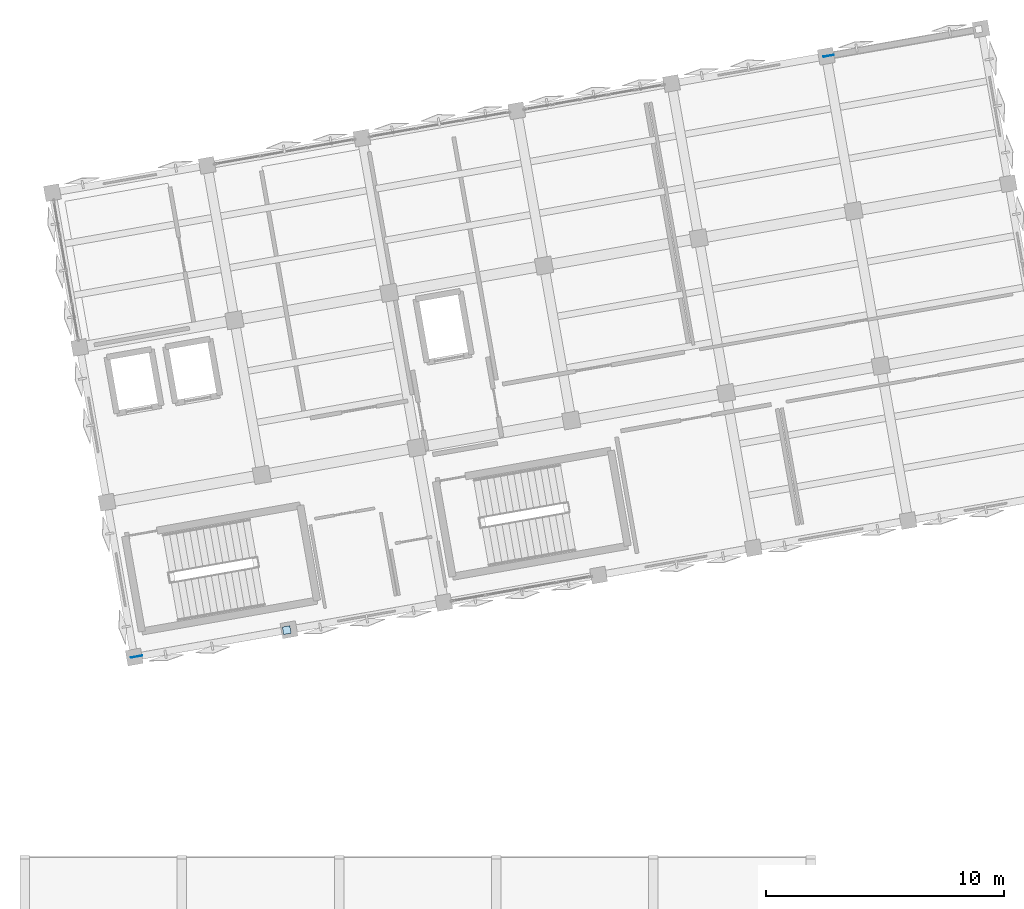
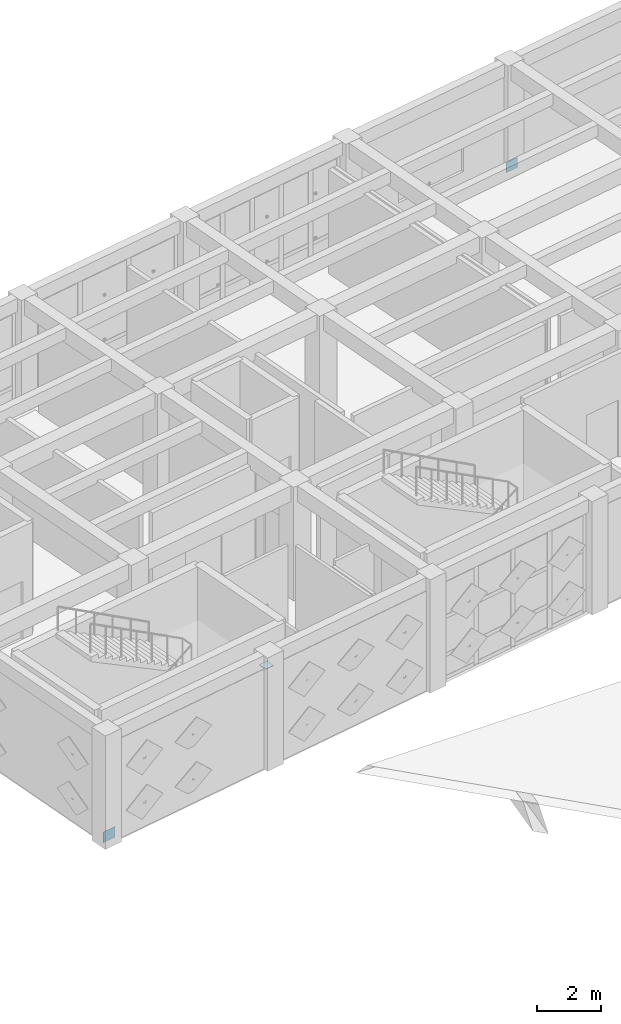
# One storey, part 25 of 39: 3 plates.
"""IFC4 building model written with IfcOpenShell, lengths in metres."""

from ifc_helpers import new_model, si_unit, direction, frame, origin, origin_2d, place, context, subcontext, project, spatial, rectangle, extrude, material, layer, layer_set, type_object, element, save


model = new_model("IFC4")

# Units and contexts
model_context = context("Model", 3, precision=1e-05, world=origin(), true_north=direction((0.0, 1.0)))
body_context = subcontext(model_context, "Body", "Model", "MODEL_VIEW")
ifc_project = project(units=[si_unit("LENGTHUNIT", "METRE"), si_unit("AREAUNIT", "SQUARE_METRE"), si_unit("VOLUMEUNIT", "CUBIC_METRE"), si_unit("PLANEANGLEUNIT", "RADIAN"), si_unit("MASSUNIT", "GRAM", prefix="KILO")], contexts=[model_context])

# Site, building, storey
site_placement = place(None, origin())
site = spatial("IfcSite", under=ifc_project, at=site_placement, CompositionType="ELEMENT")
building_placement = place(site_placement, origin())
building = spatial("IfcBuilding", under=site, at=building_placement, Name="Kharisveld Research Institute", CompositionType="ELEMENT")
storey_placement = place(building_placement, frame((0.0, 0.0, 23.10009765625)))
storey = spatial("IfcBuildingStorey", under=building, at=storey_placement, Name="L05", CompositionType="ELEMENT", Elevation=23.10009765625)

# Plates
ifc_material_1 = material(Name="Steel S355JR", Category="steel")
ifc_layer_1 = layer(ifc_material_1, 0.01806640625)
ifc_layer_set_1 = layer_set([ifc_layer_1], Name="PL_CAP_B")
plate_type_1 = type_object("IfcPlateType", Name="PL_CAP_B", PredefinedType="SHEET", material=ifc_layer_set_1)
plate_1_placement = place(storey_placement, frame((11.601318359375, 36.138671875, 3.7509765625), z_axis=(0.0, 0.0, 1.0), x_axis=(0.984807753012, 0.173648177667, 0.0)))
element("IfcPlate", 1, at=plate_1_placement, inside=storey, type_object=plate_type_1, Name="PLT:V1:L05:CAP_0_0", PredefinedType="SHEET", context=body_context, shape_type="SweptSolid", body=[
    extrude(rectangle(XDim=0.320068359375, YDim=0.320068359375, at=origin_2d()), origin(), (0.0, 0.0, 1.0), 0.01806640625),
])
ifc_material_2 = material(Name="Steel S355JR", Category="steel")
ifc_layer_2 = layer(ifc_material_2, 0.02001953125)
ifc_layer_set_2 = layer_set([ifc_layer_2], Name="PL_GUS_B")
plate_type_2 = type_object("IfcPlateType", Name="PL_GUS_B", PredefinedType="USERDEFINED", material=ifc_layer_set_2)
plate_2_placement = place(storey_placement, frame((5.298583984375, 35.02734375, 0.0), z_axis=(0.0, 0.0, 1.0), x_axis=(0.984807753012, 0.173648177667, 0.0)))
element("IfcPlate", 2, at=plate_2_placement, inside=storey, type_object=plate_type_2, Name="PLT:V1:L05:GUS_0_0", ObjectType="GUSSET PLATE", PredefinedType="USERDEFINED", context=body_context, shape_type="SweptSolid", body=[
    extrude(rectangle(XDim=0.47998046875, YDim=0.02001953125, at=origin_2d()), origin(), (0.0, 0.0, 1.0), 0.39990234375),
])
ifc_material_3 = material(Name="Steel S355JR", Category="steel")
ifc_layer_3 = layer(ifc_material_3, 0.02392578125)
ifc_layer_set_3 = layer_set([ifc_layer_3], Name="PL_GUS_C")
plate_type_3 = type_object("IfcPlateType", Name="PL_GUS_C", PredefinedType="USERDEFINED", material=ifc_layer_set_3)
plate_3_placement = place(storey_placement, frame((34.35888671875, 60.2568359375, 0.010009765625), z_axis=(0.0, 0.0, 1.0), x_axis=(0.984807753012, 0.173648177667, 0.0)))
element("IfcPlate", 3, at=plate_3_placement, inside=storey, type_object=plate_type_3, Name="PLT:V1:L05:GUS_5_3", ObjectType="GUSSET PLATE", PredefinedType="USERDEFINED", context=body_context, shape_type="SweptSolid", body=[
    extrude(rectangle(XDim=0.43994140625, YDim=0.02392578125, at=origin_2d()), origin(), (0.0, 0.0, 1.0), 0.3798828125),
])

save(model, "model.ifc")
